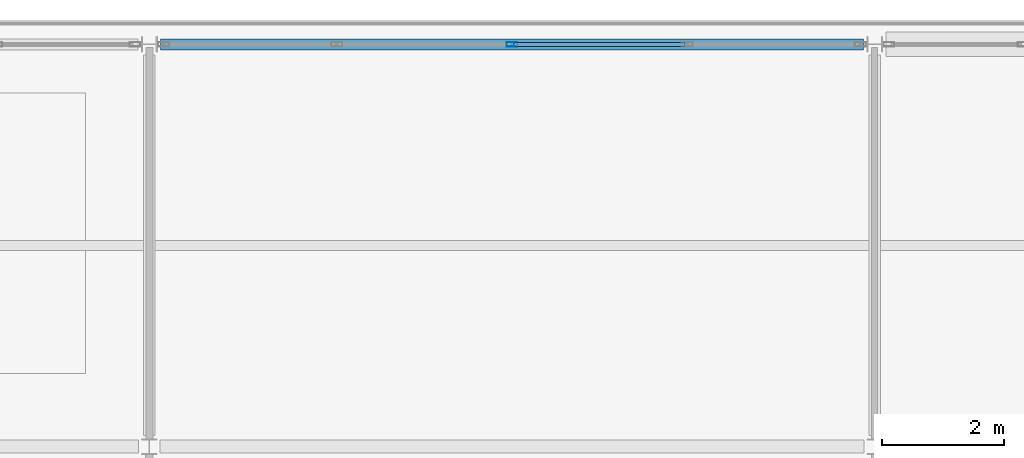
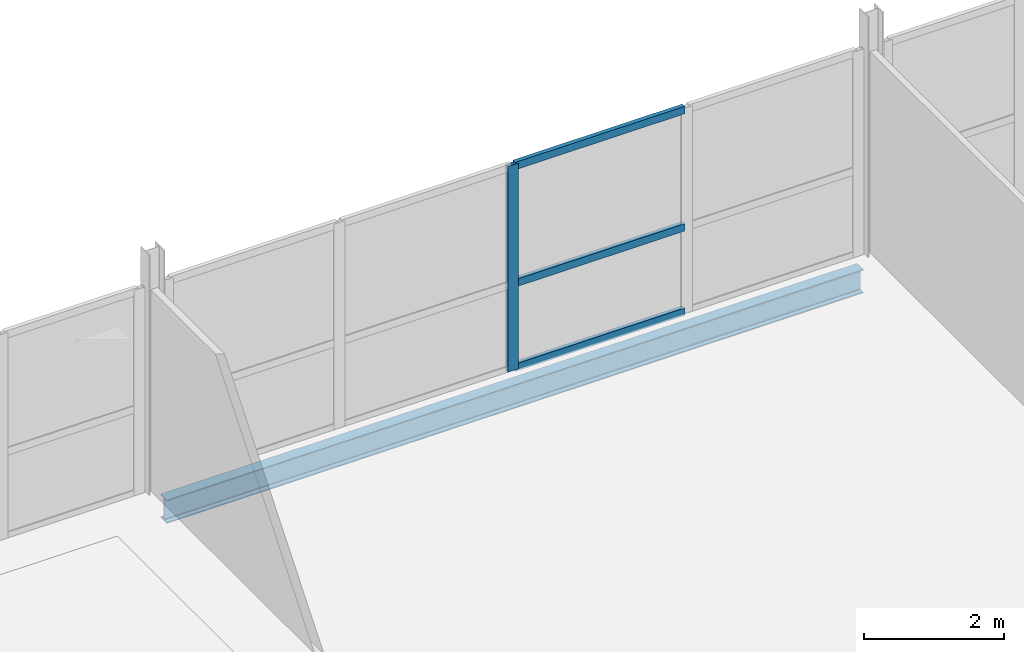
# One storey, part 10 of 17: 4 members, 1 beam, 1 element without a shape of its own.
"""IFC4 building model written with IfcOpenShell, lengths in metres."""

from ifc_helpers import new_model, si_unit, direction, frame, origin, origin_2d, place, context, subcontext, project, spatial, hollow_rectangle, i_section, extrude, material, layer, layer_set, material_profile, profile_set, type_object, element, aggregate, save


model = new_model("IFC4")

# Units and contexts
model_context = context("Model", 3, precision=1e-05, world=origin(), true_north=direction((0.0, 1.0)))
body_context = subcontext(model_context, "Body", "Model", "MODEL_VIEW")
ifc_project = project(units=[si_unit("LENGTHUNIT", "METRE"), si_unit("AREAUNIT", "SQUARE_METRE"), si_unit("VOLUMEUNIT", "CUBIC_METRE"), si_unit("PLANEANGLEUNIT", "RADIAN"), si_unit("MASSUNIT", "GRAM", prefix="KILO")], contexts=[model_context])

# Site, building, storey
site_placement = place(None, origin())
site = spatial("IfcSite", under=ifc_project, at=site_placement, CompositionType="ELEMENT")
building_placement = place(site_placement, origin())
building = spatial("IfcBuilding", under=site, at=building_placement, Name="Quillay Park Conservatory", CompositionType="ELEMENT")
storey_placement = place(building_placement, frame((0.0, 0.0, 60.300048828125)))
storey = spatial("IfcBuildingStorey", under=building, at=storey_placement, Name="L14", CompositionType="ELEMENT", Elevation=60.300048828125)

# Curtain wall, members
ifc_material_1 = material(Name="Thermally Broken Anodised Aluminium 6063-T6", Category="aluminium")
ifc_layer = layer(ifc_material_1, 0.179931640625)
ifc_layer_set = layer_set([ifc_layer], Name="UNITISED CURTAIN WALL TOWER (Thermally Broken Anodised Aluminium 6063-T6)")
curtain_wall_type = type_object("IfcCurtainWallType", Name="UNITISED CURTAIN WALL TOWER", PredefinedType="USERDEFINED", material=ifc_layer_set)
curtain_wall_placement = place(storey_placement, origin())
curtain_wall = element("IfcCurtainWall", 1, at=curtain_wall_placement, inside=storey, type_object=curtain_wall_type, Name="L14 Unitised Curtain Wall 137", ObjectType="UNITISED CURTAIN WALL", PredefinedType="USERDEFINED")
ifc_material_2 = material(Name="Thermally Broken Anodised Aluminium 6063-T6", Category="aluminium")
ifc_material_profile_1 = material_profile(ifc_material_2, hollow_rectangle(XDim=0.070068359375, YDim=0.179931640625, WallThickness=0.00390625, at=origin_2d()), Name="AL70x180x4")
ifc_profile_set_1 = profile_set([ifc_material_profile_1], Name="Thermally Broken Anodised Aluminium 6063-T6")
member_type_1 = type_object("IfcMemberType", Name="CURTAIN WALL MULLION 70 X180", PredefinedType="MULLION", material=ifc_profile_set_1)
member_1_placement = place(storey_placement, frame((13.800048828125, 113.39990234375, 0.0), z_axis=(0.0, 0.0, 1.0), x_axis=(0.0, 1.0, 0.0)))
member_1 = element("IfcMember", 2, at=member_1_placement, type_object=member_type_1, Name="CW-T1 mullion 3", PredefinedType="MULLION", context=body_context, shape_type="SweptSolid", body=[
    extrude(hollow_rectangle(XDim=0.070068359375, YDim=0.179931640625, WallThickness=0.00390625, at=origin_2d()), origin(), (0.0, 0.0, 1.0), 3.598876953125),
])
ifc_material_3 = material(Name="Thermally Broken Anodised Aluminium 6063-T6", Category="aluminium")
ifc_material_profile_2 = material_profile(ifc_material_3, hollow_rectangle(XDim=0.070068359375, YDim=0.1298828125, WallThickness=0.003173828125, at=origin_2d()), Name="AL70x130x3.2")
ifc_profile_set_2 = profile_set([ifc_material_profile_2], Name="Thermally Broken Anodised Aluminium 6063-T6")
member_type_2 = type_object("IfcMemberType", Name="CURTAIN WALL TRANSOM 70 X130", PredefinedType="USERDEFINED", material=ifc_profile_set_2)
member_2_placement = place(storey_placement, frame((13.8349609375, 113.39990234375, 0.034912109375), z_axis=(1.0, 0.0, 0.0), x_axis=(0.0, 1.0, 0.0)))
member_2 = element("IfcMember", 3, at=member_2_placement, type_object=member_type_2, Name="CW-T1 transom 3.1", ObjectType="TRANSOM", PredefinedType="USERDEFINED", context=body_context, shape_type="SweptSolid", body=[
    extrude(hollow_rectangle(XDim=0.070068359375, YDim=0.1298828125, WallThickness=0.003173828125, at=origin_2d()), origin(), (0.0, 0.0, 1.0), 2.804931640625),
])
member_3_placement = place(storey_placement, frame((13.8349609375, 113.39990234375, 1.511474609375), z_axis=(1.0, 0.0, 0.0), x_axis=(0.0, 1.0, 0.0)))
member_3 = element("IfcMember", 4, at=member_3_placement, type_object=member_type_2, Name="CW-T1 transom 3.2", ObjectType="TRANSOM", PredefinedType="USERDEFINED", context=body_context, shape_type="SweptSolid", body=[
    extrude(hollow_rectangle(XDim=0.070068359375, YDim=0.1298828125, WallThickness=0.003173828125, at=origin_2d()), origin(), (0.0, 0.0, 1.0), 2.804931640625),
])
member_4_placement = place(storey_placement, frame((13.8349609375, 113.39990234375, 3.56396484375), z_axis=(1.0, 0.0, 0.0), x_axis=(0.0, 1.0, 0.0)))
member_4 = element("IfcMember", 5, at=member_4_placement, type_object=member_type_2, Name="CW-T1 transom 3.3", ObjectType="TRANSOM", PredefinedType="USERDEFINED", context=body_context, shape_type="SweptSolid", body=[
    extrude(hollow_rectangle(XDim=0.070068359375, YDim=0.1298828125, WallThickness=0.003173828125, at=origin_2d()), origin(), (0.0, 0.0, 1.0), 2.804931640625),
])
aggregate(curtain_wall, [member_1, member_2, member_3, member_4])

# Beam
ifc_material_4 = material(Name="Steel ASTM A992 Grade 50", Category="steel")
ifc_material_profile_3 = material_profile(ifc_material_4, i_section(OverallWidth=0.179931640625, OverallDepth=0.4130859375, WebThickness=0.009765625, FlangeThickness=0.01611328125, FilletRadius=0.011962890625, at=origin_2d()), Name="W410x74")
ifc_profile_set_3 = profile_set([ifc_material_profile_3], Name="Steel ASTM A992 Grade 50")
beam_type = type_object("IfcBeamType", Name="PERIMETER SPANDREL BEAM W410 X74", PredefinedType="SPANDREL", material=ifc_profile_set_3)
beam_placement = place(storey_placement, frame((8.034423828125, 113.39990234375, -0.421630859375), z_axis=(1.0, 0.0, 0.0), x_axis=(0.0, 1.0, 0.0)))
element("IfcBeam", 6, at=beam_placement, inside=storey, type_object=beam_type, Name="L14 beam BM-SP-0959", PredefinedType="SPANDREL", context=body_context, shape_type="SweptSolid", body=[
    extrude(i_section(OverallWidth=0.179931640625, OverallDepth=0.4130859375, WebThickness=0.009765625, FlangeThickness=0.01611328125, FilletRadius=0.011962890625, at=origin_2d()), origin(), (0.0, 0.0, 1.0), 11.531005859375),
])

save(model, "model.ifc")
